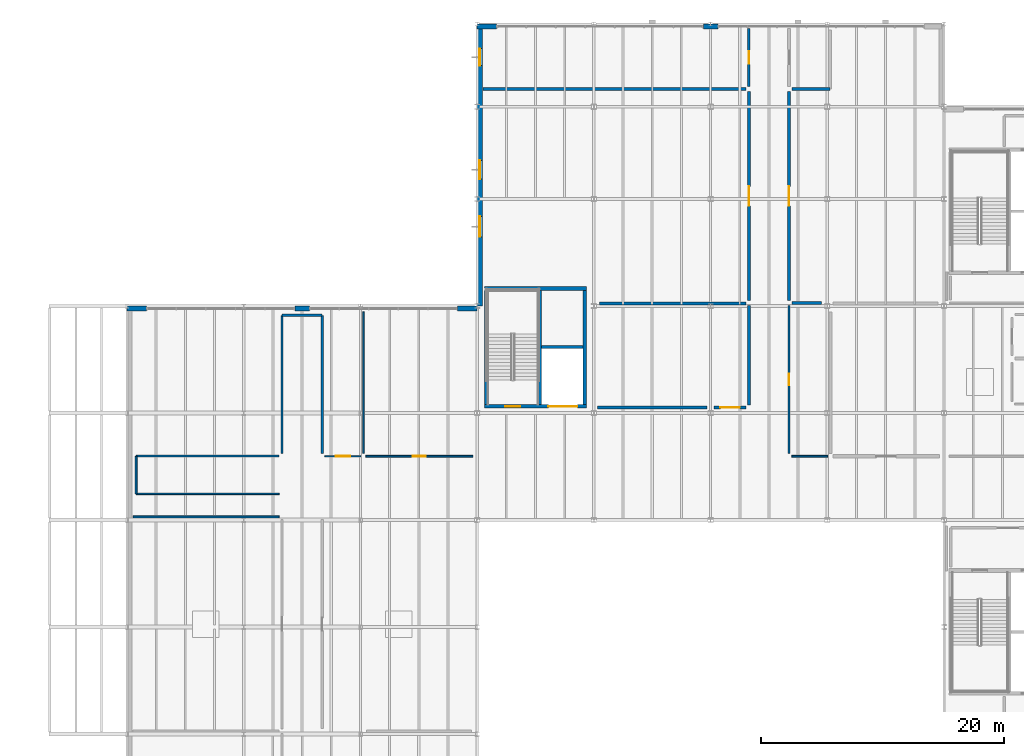
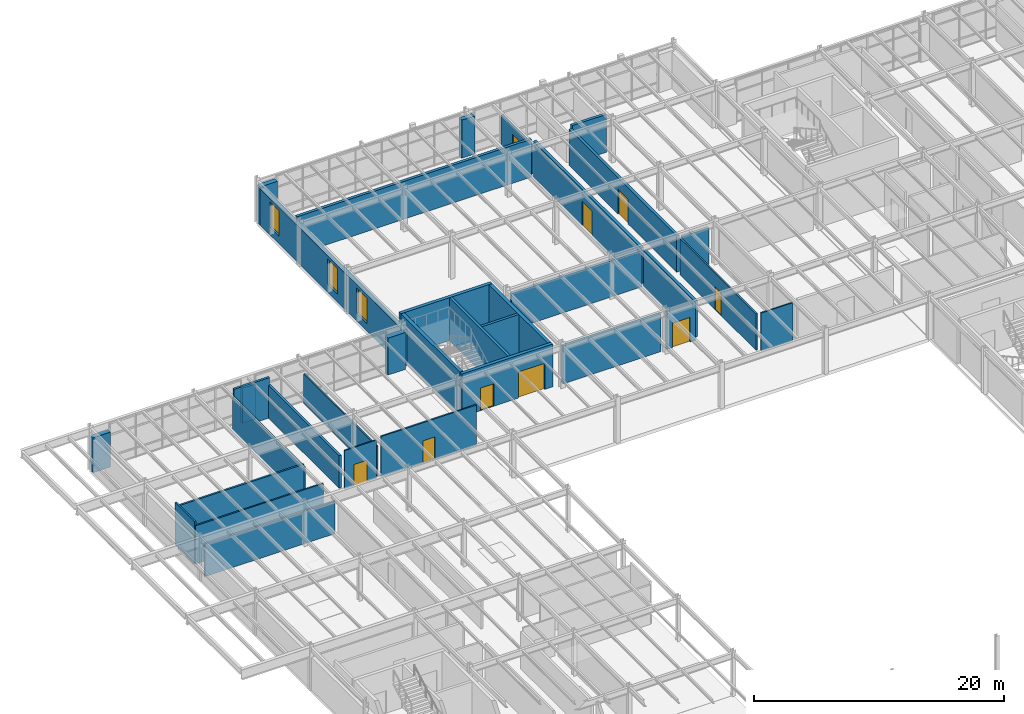
# One storey, part 59 of 77: 34 walls, 9 doors, 3 windows, 12 openings.
"""IFC4 building model written with IfcOpenShell, lengths in metres."""

import ifcopenshell
import ifcopenshell.guid

model = None  # the IFC model being written
_history = None  # IfcOwnerHistory: only IFC2X3 demands one
_inside = {}  # id of a spatial element -> (the spatial element, [elements in it])
_under = {}  # id of a project, library or spatial element -> (it, [spatial elements below it])
_declared = {}  # id of a project -> (the project, [libraries it declares])
_typed = {}  # id of a type object -> (the type object, [elements of that type])
_made_of = {}  # id of a material, layer set ... -> (it, [elements and type objects made of it])


def new_model(schema):
    """Start an empty IFC model of exactly this schema.

    Asked for "IFC4X3", IfcOpenShell would pick the latest addendum, in which some entities
    have other attributes; the version numbers below select the first issue.
    IFC2X3 requires an IfcOwnerHistory on every rooted entity: one is made here for all.
    """
    global model, _history
    if schema == "IFC4X3":
        model = ifcopenshell.file(schema_version=(4, 3, 0, 0))
    else:
        model = ifcopenshell.file(schema=schema)
    _inside.clear()
    _under.clear()
    _declared.clear()
    _typed.clear()
    _made_of.clear()
    _history = None
    if model.schema == "IFC2X3":
        org = make("IfcOrganization", Name="unknown")
        user = make(
            "IfcPersonAndOrganization",
            ThePerson=make("IfcPerson", FamilyName="unknown"),
            TheOrganization=org,
        )
        app = make(
            "IfcApplication",
            ApplicationDeveloper=org,
            Version="unknown",
            ApplicationFullName="unknown",
            ApplicationIdentifier="unknown",
        )
        _history = make(
            "IfcOwnerHistory",
            OwningUser=user,
            OwningApplication=app,
            ChangeAction="ADDED",
            CreationDate=0,
        )
    return model


def make(cls, **values):
    """One entity of the class cls with the attributes given. An attribute that is None is left unset."""
    return model.create_entity(
        cls, **{name: value for name, value in values.items() if value is not None}
    )


def rooted(cls, **values):
    """An entity with a GlobalId (a new one), such as an element, a storey or a relation."""
    return make(cls, GlobalId=ifcopenshell.guid.new(), OwnerHistory=_history, **values)


def si_unit(unit_type, name, prefix=None):
    """IfcSIUnit, for example si_unit("LENGTHUNIT", "METRE", prefix="MILLI")."""
    return make("IfcSIUnit", UnitType=unit_type, Prefix=prefix, Name=name)


def assignment(units):
    """IfcUnitAssignment: the units of a project."""
    return None if units is None else make("IfcUnitAssignment", Units=units)


def point(xyz):
    """IfcCartesianPoint."""
    return None if xyz is None else make("IfcCartesianPoint", Coordinates=xyz)


def direction(xyz):
    """IfcDirection."""
    return None if xyz is None else make("IfcDirection", DirectionRatios=xyz)


def frame(location, z_axis=None, x_axis=None):
    """IfcAxis2Placement3D, a coordinate frame: its origin and axes. An axis left out is left unset."""
    return make(
        "IfcAxis2Placement3D",
        Location=point(location),
        Axis=direction(z_axis),
        RefDirection=direction(x_axis),
    )


def frame_2d(location, x_axis=None):
    """IfcAxis2Placement2D, a coordinate frame in the plane: its origin and x axis."""
    return make(
        "IfcAxis2Placement2D", Location=point(location), RefDirection=direction(x_axis)
    )


def origin():
    """The frame at (0, 0, 0) with its axes left unset."""
    return frame((0.0, 0.0, 0.0))


def place(relative_to, where):
    """IfcLocalPlacement: puts the frame where relative to a parent placement (None: the world)."""
    return make(
        "IfcLocalPlacement", PlacementRelTo=relative_to, RelativePlacement=where
    )


def context(
    kind, dimensions, precision=None, world=None, true_north=None, identifier=None
):
    """IfcGeometricRepresentationContext, for example the 3D "Model" context."""
    return make(
        "IfcGeometricRepresentationContext",
        ContextIdentifier=identifier,
        ContextType=kind,
        CoordinateSpaceDimension=dimensions,
        Precision=precision,
        WorldCoordinateSystem=world,
        TrueNorth=true_north,
    )


def subcontext(parent, identifier, kind, view, scale=None):
    """IfcGeometricRepresentationSubContext, for example "Body" below "Model"."""
    return make(
        "IfcGeometricRepresentationSubContext",
        ContextIdentifier=identifier,
        ContextType=kind,
        ParentContext=parent,
        TargetScale=scale,
        TargetView=view,
    )


def project(units=None, contexts=None):
    """IfcProject with its units and contexts."""
    return rooted(
        "IfcProject",
        Name="project",
        RepresentationContexts=contexts,
        UnitsInContext=assignment(units),
    )


def spatial(cls, under=None, at=None, **own):
    """A site, building, storey or space (cls), placed at a placement, below another one or the project."""
    s = rooted(cls, ObjectPlacement=at, **own)
    if under is not None:
        _under.setdefault(under.id(), (under, []))[1].append(s)
    return s


def profile(cls, at=None, kind="AREA", **sizes):
    """A parametric profile (cls). Its sizes go by their IFC names, for example OverallWidth=200.0."""
    return make(cls, ProfileType=kind, Position=at, **sizes)


def rectangle(**sizes):
    """IfcRectangleProfileDef."""
    return profile("IfcRectangleProfileDef", **sizes)


def extrude(swept, where, along, depth):
    """IfcExtrudedAreaSolid: the profile swept, set in the frame where, extruded along a direction by depth."""
    return make(
        "IfcExtrudedAreaSolid",
        SweptArea=swept,
        Position=where,
        ExtrudedDirection=direction(along),
        Depth=depth,
    )


def shape(context_of_items, identifier, shape_type, items):
    """IfcShapeRepresentation: the items that make up one representation, for example the "Body"."""
    return make(
        "IfcShapeRepresentation",
        ContextOfItems=context_of_items,
        RepresentationIdentifier=identifier,
        RepresentationType=shape_type,
        Items=items,
    )


def material(Name=None, Category=None):
    """IfcMaterial."""
    return make("IfcMaterial", Name=Name, Category=Category)


def layer(
    of_material, thickness, ventilated=None, Name=None, Category=None, Priority=None
):
    """IfcMaterialLayer: one layer of a wall or slab, of a material (None: an air gap)."""
    return make(
        "IfcMaterialLayer",
        Material=of_material,
        LayerThickness=thickness,
        IsVentilated=ventilated,
        Name=Name,
        Category=Category,
        Priority=Priority,
    )


def layer_set(layers, Name=None):
    """IfcMaterialLayerSet."""
    return make("IfcMaterialLayerSet", MaterialLayers=layers, LayerSetName=Name)


def made_of(thing, what):
    """Note that an element or type object is made of a material, layer set ...; save() writes the relation."""
    if what is not None:
        _made_of.setdefault(what.id(), (what, []))[1].append(thing)
    return thing


def type_object(cls, material=None, **own):
    """A type object (cls), such as IfcWallType, which elements share."""
    return made_of(rooted(cls, **own), material)


def element(
    cls,
    number,
    at=None,
    inside=None,
    cuts=None,
    type_object=None,
    material=None,
    context=None,
    identifier="Body",
    shape_type=None,
    held_by="IfcProductDefinitionShape",
    body=None,
    shapes=None,
    **own,
):
    """One element of the class cls, such as IfcWall. Its Tag is "e" and its number.

    at: its placement. inside: the storey or other place that contains it. cuts: it is an
    opening in that element (IfcRelVoidsElement). A single representation is given by context,
    identifier, shape_type and body (its items); several are given by shapes. held_by: the class
    of the entity that holds the representations. save() writes the other relations.
    """
    e = rooted(cls, Tag="e%d" % number, ObjectPlacement=at, **own)
    if body is not None:
        shapes = [shape(context, identifier, shape_type, body)]
    if shapes is not None:
        e.Representation = make(held_by, Representations=shapes)
    if inside is not None:
        _inside.setdefault(inside.id(), (inside, []))[1].append(e)
    if cuts is not None:
        rooted(
            "IfcRelVoidsElement", RelatingBuildingElement=cuts, RelatedOpeningElement=e
        )
    if type_object is not None:
        _typed.setdefault(type_object.id(), (type_object, []))[1].append(e)
    return made_of(e, material)


def fill(opening, filler):
    """IfcRelFillsElement: the door or window that sits in an opening."""
    return rooted(
        "IfcRelFillsElement",
        RelatingOpeningElement=opening,
        RelatedBuildingElement=filler,
    )


def aggregate(whole, parts):
    """IfcRelAggregates: a whole, such as a stair, and the parts it consists of."""
    return rooted("IfcRelAggregates", RelatingObject=whole, RelatedObjects=parts)


def save(model, path):
    """Write the relations noted so far, then the file.

    IfcRelAggregates (storeys below a building ...), IfcRelContainedInSpatialStructure (elements
    in a storey), IfcRelDefinesByType, IfcRelAssociatesMaterial and IfcRelDeclares: one each for
    every whole, place, type object, material and project.
    """
    for whole, parts in _under.values():
        aggregate(whole, parts)
    for where, things in _inside.values():
        rooted(
            "IfcRelContainedInSpatialStructure",
            RelatedElements=things,
            RelatingStructure=where,
        )
    for kind, things in _typed.values():
        rooted("IfcRelDefinesByType", RelatedObjects=things, RelatingType=kind)
    for what, things in _made_of.values():
        rooted("IfcRelAssociatesMaterial", RelatedObjects=things, RelatingMaterial=what)
    for by, libraries in _declared.values():
        rooted("IfcRelDeclares", RelatingContext=by, RelatedDefinitions=libraries)
    model.write(path)


model = new_model("IFC4")

# Units and contexts
model_context = context("Model", 3, precision=1e-05, world=origin(), true_north=direction((0.0, 1.0)))
body_context = subcontext(model_context, "Body", "Model", "MODEL_VIEW")
ifc_project = project(units=[si_unit("LENGTHUNIT", "METRE"), si_unit("AREAUNIT", "SQUARE_METRE"), si_unit("VOLUMEUNIT", "CUBIC_METRE"), si_unit("PLANEANGLEUNIT", "RADIAN"), si_unit("MASSUNIT", "GRAM", prefix="KILO")], contexts=[model_context])

# Site, building, storey
site_placement = place(None, origin())
site = spatial("IfcSite", under=ifc_project, at=site_placement, CompositionType="ELEMENT")
building_placement = place(site_placement, origin())
building = spatial("IfcBuilding", under=site, at=building_placement, Name="Sarnbrook Museum", CompositionType="ELEMENT")
storey_placement = place(building_placement, frame((0.0, 0.0, 5.60009765625)))
storey = spatial("IfcBuildingStorey", under=building, at=storey_placement, Name="L01", CompositionType="ELEMENT", Elevation=5.60009765625)

# Wall, openings, doors
ifc_material_1 = material(Name="Concrete N50 (AS 3600, f'c = 50 MPa)", Category="concrete")
ifc_layer_1 = layer(ifc_material_1, 0.300048828125)
ifc_layer_set_1 = layer_set([ifc_layer_1], Name="Concrete N50 (AS 3600, f'c = 50 MPa)")
wall_type_1 = type_object("IfcWallType", Name="CoreWall_CWRC", PredefinedType="SHEAR", material=ifc_layer_set_1)
wall_1_placement = place(storey_placement, frame((43.0, 83.75, 0.0), z_axis=(0.0, 0.0, 1.0), x_axis=(1.0, 0.0, 0.0)))
wall_1 = element("IfcWall", 1, at=wall_1_placement, inside=storey, type_object=wall_type_1, Name="Core C6 Shear Wall S L01", PredefinedType="SHEAR", context=body_context, shape_type="SweptSolid", body=[
    extrude(rectangle(XDim=8.39990234375, YDim=0.300048828125, at=frame_2d((4.199951171875, 0.0))), origin(), (0.0, 0.0, 1.0), 4.1748046875),
])
opening_1_placement = place(wall_1_placement, frame((1.715087890625, 0.0, 0.0)))
opening_1 = element("IfcOpeningElement", 2, at=opening_1_placement, cuts=wall_1, Name="Opening D-ST-ST6-L01", PredefinedType="OPENING", context=body_context, shape_type="SweptSolid", body=[
    extrude(rectangle(XDim=1.25, YDim=2.199951171875, at=frame_2d((0.625, 1.10009765625))), frame((0.0, 0.16015625, 0.0), z_axis=(0.0, -1.0, 0.0), x_axis=(1.0, 0.0, 0.0)), (0.0, 0.0, 1.0), 0.320068359375),
])
opening_2_placement = place(wall_1_placement, frame((5.25, 0.0, 0.0)))
opening_2 = element("IfcOpeningElement", 3, at=opening_2_placement, cuts=wall_1, Name="Opening LD-GL2-L01", PredefinedType="OPENING", context=body_context, shape_type="SweptSolid", body=[
    extrude(rectangle(XDim=2.39990234375, YDim=2.550048828125, at=frame_2d((1.199951171875, 1.27490234375))), frame((0.0, 0.16015625, 0.0), z_axis=(0.0, -1.0, 0.0), x_axis=(1.0, 0.0, 0.0)), (0.0, 0.0, 1.0), 0.320068359375),
])
ifc_material_2 = material(Name="Tasmanian Oak Acoustic Timber", Category="wood")
door_type_1 = type_object("IfcDoorType", Name="FireDoor_FD120", OperationType="NOTDEFINED", PredefinedType="DOOR", material=ifc_material_2)
door_1_placement = place(opening_1_placement, origin())
door_1 = element("IfcDoor", 4, at=door_1_placement, inside=storey, type_object=door_type_1, Name="Exit Stair ST6 Fire Door L01", OperationType="SINGLE_SWING_RIGHT", OverallHeight=2.199951171875, OverallWidth=1.25, PredefinedType="DOOR", context=body_context, shape_type="SweptSolid", body=[
    extrude(rectangle(XDim=1.25, YDim=2.199951171875, at=frame_2d((0.625, 1.10009765625))), frame((0.0, 0.02490234375, 0.0), z_axis=(0.0, -1.0, 0.0), x_axis=(1.0, 0.0, 0.0)), (0.0, 0.0, 1.0), 0.050048828125),
])
fill(opening_1, door_1)
ifc_material_3 = material(Name="Brushed Stainless Steel Grade 316", Category="steel")
door_type_2 = type_object("IfcDoorType", Name="LiftDoor_Goods240", OperationType="DOUBLE_DOOR_SLIDING", PredefinedType="DOOR", material=ifc_material_3)
door_2_placement = place(opening_2_placement, origin())
door_2 = element("IfcDoor", 5, at=door_2_placement, inside=storey, type_object=door_type_2, Name="Lift Landing Sliding Door LD-GL2-L01", OperationType="DOUBLE_DOOR_SLIDING", OverallHeight=2.550048828125, OverallWidth=2.39990234375, PredefinedType="DOOR", context=body_context, shape_type="SweptSolid", body=[
    extrude(rectangle(XDim=2.39990234375, YDim=2.550048828125, at=frame_2d((1.199951171875, 1.27490234375))), frame((0.0, 0.02490234375, 0.0), z_axis=(0.0, -1.0, 0.0), x_axis=(1.0, 0.0, 0.0)), (0.0, 0.0, 1.0), 0.050048828125),
])
fill(opening_2, door_2)

# Walls
wall_2_placement = place(storey_placement, frame((51.39990234375, 93.449951171875, 0.0), z_axis=(0.0, 0.0, 1.0), x_axis=(-1.0, 0.0, 0.0)))
element("IfcWall", 6, at=wall_2_placement, inside=storey, type_object=wall_type_1, Name="Core C6 Shear Wall N L01", PredefinedType="SHEAR", context=body_context, shape_type="SweptSolid", body=[
    extrude(rectangle(XDim=8.39990234375, YDim=0.300048828125, at=frame_2d((4.199951171875, 0.0))), origin(), (0.0, 0.0, 1.0), 4.1748046875),
])
for number, where, z_axis, x_axis, name in (
    (7, (51.25, 83.909912109375, 0.0), (0.0, 0.0, 1.0), (0.0, 1.0, 0.0), "Core C6 Shear Wall E L01"),
    (8, (43.14990234375, 93.2900390625, 0.0), (0.0, 0.0, 1.0), (0.0, -1.0, 0.0), "Core C6 Shear Wall W L01"),
):
    element("IfcWall", number, at=place(storey_placement, frame(where, z_axis=z_axis, x_axis=x_axis)), inside=storey, type_object=wall_type_1, Name=name, PredefinedType="SHEAR", context=body_context, shape_type="SweptSolid", body=[
        extrude(rectangle(XDim=9.380126953125, YDim=0.300048828125, at=frame_2d((4.68994140625, 0.0))), origin(), (0.0, 0.0, 1.0), 4.1748046875),
    ])

# Wall, opening, door
ifc_material_4 = material(Name="Concrete N40 (AS 3600, f'c = 40 MPa)", Category="concrete")
ifc_layer_2 = layer(ifc_material_4, 0.260009765625)
ifc_layer_set_2 = layer_set([ifc_layer_2], Name="Concrete N40 (AS 3600, f'c = 40 MPa)")
wall_type_2 = type_object("IfcWallType", Name="FireWall_FW240", PredefinedType="SOLIDWALL", material=ifc_layer_set_2)
wall_3_placement = place(storey_placement, frame((64.75, 109.6298828125, 0.0), z_axis=(0.0, 0.0, 1.0), x_axis=(0.0, -1.0, 0.0)))
wall_3 = element("IfcWall", 9, at=wall_3_placement, inside=storey, type_object=wall_type_2, Name="Interior Partition Wall L01-0398", PredefinedType="SOLIDWALL", context=body_context, shape_type="SweptSolid", body=[
    extrude(rectangle(XDim=17.179931640625, YDim=0.260009765625, at=frame_2d((8.58984375, 0.0))), origin(), (0.0, 0.0, 1.0), 3.54296875),
])
opening_3_placement = place(wall_3_placement, frame((7.7900390625, 0.0, 0.0)))
opening_3 = element("IfcOpeningElement", 10, at=opening_3_placement, cuts=wall_3, Name="Opening D-L01-125", PredefinedType="OPENING", context=body_context, shape_type="SweptSolid", body=[
    extrude(rectangle(XDim=1.60009765625, YDim=2.39990234375, at=frame_2d((0.800048828125, 1.199951171875))), frame((0.0, 0.14013671875, 0.0), z_axis=(0.0, -1.0, 0.0), x_axis=(1.0, 0.0, 0.0)), (0.0, 0.0, 1.0), 0.280029296875),
])
ifc_material_5 = material(Name="Patinated Architectural Bronze")
door_type_3 = type_object("IfcDoorType", Name="FireDoor_FD240", OperationType="NOTDEFINED", PredefinedType="DOOR", material=ifc_material_5)
door_3_placement = place(opening_3_placement, origin())
door_3 = element("IfcDoor", 11, at=door_3_placement, inside=storey, type_object=door_type_3, Name="Collection Archive Vault L01-33 Door D-L01-125", OperationType="DOUBLE_DOOR_SINGLE_SWING", OverallHeight=2.39990234375, OverallWidth=1.60009765625, PredefinedType="DOOR", context=body_context, shape_type="SweptSolid", body=[
    extrude(rectangle(XDim=1.60009765625, YDim=2.39990234375, at=frame_2d((0.800048828125, 1.199951171875))), frame((0.0, 0.02490234375, 0.0), z_axis=(0.0, -1.0, 0.0), x_axis=(1.0, 0.0, 0.0)), (0.0, 0.0, 1.0), 0.050048828125),
])
fill(opening_3, door_3)

wall_4_placement = place(storey_placement, frame((64.52001953125, 83.64990234375, 0.0), z_axis=(0.0, 0.0, 1.0), x_axis=(-1.0, 0.0, 0.0)))
wall_4 = element("IfcWall", 12, at=wall_4_placement, inside=storey, type_object=wall_type_2, Name="Interior Partition Wall L01-0400", PredefinedType="SOLIDWALL", context=body_context, shape_type="SweptSolid", body=[
    extrude(rectangle(XDim=2.63525390625, YDim=0.260009765625, at=frame_2d((1.317626953125, 0.0))), origin(), (0.0, 0.0, 1.0), 3.69287109375),
])
opening_4_placement = place(wall_4_placement, frame((0.517578125, 0.0, 0.0)))
opening_4 = element("IfcOpeningElement", 13, at=opening_4_placement, cuts=wall_4, Name="Opening D-L01-127", PredefinedType="OPENING", context=body_context, shape_type="SweptSolid", body=[
    extrude(rectangle(XDim=1.60009765625, YDim=2.39990234375, at=frame_2d((0.800048828125, 1.199951171875))), frame((0.0, 0.14013671875, 0.0), z_axis=(0.0, -1.0, 0.0), x_axis=(1.0, 0.0, 0.0)), (0.0, 0.0, 1.0), 0.280029296875),
])
door_4_placement = place(opening_4_placement, origin())
door_4 = element("IfcDoor", 14, at=door_4_placement, inside=storey, type_object=door_type_3, Name="Collection Archive Vault L01-35 Door D-L01-127", OperationType="DOUBLE_DOOR_SINGLE_SWING", OverallHeight=2.39990234375, OverallWidth=1.60009765625, PredefinedType="DOOR", context=body_context, shape_type="SweptSolid", body=[
    extrude(rectangle(XDim=1.60009765625, YDim=2.39990234375, at=frame_2d((0.800048828125, 1.199951171875))), frame((0.0, 0.02490234375, 0.0), z_axis=(0.0, -1.0, 0.0), x_axis=(1.0, 0.0, 0.0)), (0.0, 0.0, 1.0), 0.050048828125),
])
fill(opening_4, door_4)

# Walls
wall_5_placement = place(storey_placement, frame((61.315185546875, 83.64990234375, 0.0), z_axis=(0.0, 0.0, 1.0), x_axis=(-1.0, 0.0, 0.0)))
element("IfcWall", 15, at=wall_5_placement, inside=storey, type_object=wall_type_2, Name="Interior Partition Wall L01-0401", PredefinedType="SOLIDWALL", context=body_context, shape_type="SweptSolid", body=[
    extrude(rectangle(XDim=9.030517578125, YDim=0.260009765625, at=frame_2d((4.51513671875, 0.0))), origin(), (0.0, 0.0, 1.0), 3.69287109375),
])
wall_6_placement = place(storey_placement, frame((64.75, 92.030029296875, 0.0), z_axis=(0.0, 0.0, 1.0), x_axis=(0.0, -1.0, 0.0)))
element("IfcWall", 16, at=wall_6_placement, inside=storey, type_object=wall_type_2, Name="Interior Partition Wall L01-0402", PredefinedType="SOLIDWALL", context=body_context, shape_type="SweptSolid", body=[
    extrude(rectangle(XDim=8.150146484375, YDim=0.260009765625, at=frame_2d((4.0751953125, 0.0))), origin(), (0.0, 0.0, 1.0), 3.54296875),
])

# Wall, opening, door
wall_7_placement = place(storey_placement, frame((68.050048828125, 92.449951171875, 0.0), z_axis=(0.0, 0.0, 1.0), x_axis=(0.0, 1.0, 0.0)))
wall_7 = element("IfcWall", 17, at=wall_7_placement, inside=storey, type_object=wall_type_2, Name="Interior Partition Wall L01-0405", PredefinedType="SOLIDWALL", context=body_context, shape_type="SweptSolid", body=[
    extrude(rectangle(XDim=17.179931640625, YDim=0.260009765625, at=frame_2d((8.58984375, 0.0))), origin(), (0.0, 0.0, 1.0), 3.54296875),
])
opening_5_placement = place(wall_7_placement, frame((7.7900390625, 0.0, 0.0)))
opening_5 = element("IfcOpeningElement", 18, at=opening_5_placement, cuts=wall_7, Name="Opening D-L01-129", PredefinedType="OPENING", context=body_context, shape_type="SweptSolid", body=[
    extrude(rectangle(XDim=1.60009765625, YDim=2.39990234375, at=frame_2d((0.800048828125, 1.199951171875))), frame((0.0, 0.14013671875, 0.0), z_axis=(0.0, -1.0, 0.0), x_axis=(1.0, 0.0, 0.0)), (0.0, 0.0, 1.0), 0.280029296875),
])
door_5_placement = place(opening_5_placement, frame((1.60009765625, 0.0, 0.0), z_axis=(0.0, 0.0, 1.0), x_axis=(-1.0, 0.0, 0.0)))
door_5 = element("IfcDoor", 19, at=door_5_placement, inside=storey, type_object=door_type_3, Name="Collection Archive Vault L01-37 Door D-L01-129", OperationType="DOUBLE_DOOR_SINGLE_SWING", OverallHeight=2.39990234375, OverallWidth=1.60009765625, PredefinedType="DOOR", context=body_context, shape_type="SweptSolid", body=[
    extrude(rectangle(XDim=1.60009765625, YDim=2.39990234375, at=frame_2d((0.800048828125, 1.199951171875))), frame((0.0, 0.02490234375, 0.0), z_axis=(0.0, -1.0, 0.0), x_axis=(1.0, 0.0, 0.0)), (0.0, 0.0, 1.0), 0.050048828125),
])
fill(opening_5, door_5)

# Walls
wall_8_placement = place(storey_placement, frame((42.89990234375, 109.860107421875, 0.0), z_axis=(0.0, 0.0, 1.0), x_axis=(1.0, 0.0, 0.0)))
element("IfcWall", 20, at=wall_8_placement, inside=storey, type_object=wall_type_2, Name="Interior Partition Wall L01-0442", PredefinedType="SOLIDWALL", context=body_context, shape_type="SweptSolid", body=[
    extrude(rectangle(XDim=21.6201171875, YDim=0.260009765625, at=frame_2d((10.81005859375, 0.0))), origin(), (0.0, 0.0, 1.0), 3.69287109375),
])
wall_9_placement = place(storey_placement, frame((64.52001953125, 92.219970703125, 0.0), z_axis=(0.0, 0.0, 1.0), x_axis=(-1.0, 0.0, 0.0)))
element("IfcWall", 21, at=wall_9_placement, inside=storey, type_object=wall_type_2, Name="Interior Partition Wall L01-0443", PredefinedType="SOLIDWALL", context=body_context, shape_type="SweptSolid", body=[
    extrude(rectangle(XDim=12.0400390625, YDim=0.260009765625, at=frame_2d((6.02001953125, 0.0))), origin(), (0.0, 0.0, 1.0), 3.54296875),
])
wall_10_placement = place(storey_placement, frame((68.280029296875, 92.260009765625, 0.0), z_axis=(0.0, 0.0, 1.0), x_axis=(1.0, 0.0, 0.0)))
element("IfcWall", 22, at=wall_10_placement, inside=storey, type_object=wall_type_2, Name="Interior Partition Wall L01-0444", PredefinedType="SOLIDWALL", context=body_context, shape_type="SweptSolid", body=[
    extrude(rectangle(XDim=2.43994140625, YDim=0.260009765625, at=frame_2d((1.219970703125, 0.0))), origin(), (0.0, 0.0, 1.0), 3.54296875),
])
wall_11_placement = place(storey_placement, frame((68.280029296875, 109.860107421875, 0.0), z_axis=(0.0, 0.0, 1.0), x_axis=(1.0, 0.0, 0.0)))
element("IfcWall", 23, at=wall_11_placement, inside=storey, type_object=wall_type_2, Name="Interior Partition Wall L01-0446", PredefinedType="SOLIDWALL", context=body_context, shape_type="SweptSolid", body=[
    extrude(rectangle(XDim=3.1298828125, YDim=0.260009765625, at=frame_2d((1.56494140625, 0.0))), origin(), (0.0, 0.0, 1.0), 3.69287109375),
])

# Wall, opening, door
ifc_material_6 = material(Name="Fire-Rated Acoustic Gypsum Plasterboard")
ifc_layer_3 = layer(ifc_material_6, 0.1201171875)
ifc_layer_set_3 = layer_set([ifc_layer_3], Name="Fire-Rated Acoustic Gypsum Plasterboard")
wall_type_3 = type_object("IfcWallType", Name="PartWall_P120", PredefinedType="PARTITIONING", material=ifc_layer_set_3)
wall_12_placement = place(storey_placement, frame((32.830078125, 79.64990234375, 0.0), z_axis=(0.0, 0.0, 1.0), x_axis=(-1.0, 0.0, 0.0)))
wall_12 = element("IfcWall", 24, at=wall_12_placement, inside=storey, type_object=wall_type_3, Name="Interior Partition Wall L01-0384", PredefinedType="PARTITIONING", context=body_context, shape_type="SweptSolid", body=[
    extrude(rectangle(XDim=2.9501953125, YDim=0.1201171875, at=frame_2d((1.47509765625, 0.0))), origin(), (0.0, 0.0, 1.0), 3.73291015625),
])
opening_6_placement = place(wall_12_placement, frame((0.885009765625, 0.0, 0.0)))
opening_6 = element("IfcOpeningElement", 25, at=opening_6_placement, cuts=wall_12, Name="Opening D-L01-120", PredefinedType="OPENING", context=body_context, shape_type="SweptSolid", body=[
    extrude(rectangle(XDim=1.179931640625, YDim=2.080078125, at=frame_2d((0.58984375, 1.0400390625))), frame((0.0, 0.070068359375, 0.0), z_axis=(0.0, -1.0, 0.0), x_axis=(1.0, 0.0, 0.0)), (0.0, 0.0, 1.0), 0.14013671875),
])
door_type_4 = type_object("IfcDoorType", Name="IntDoor_DT06", OperationType="NOTDEFINED", PredefinedType="DOOR", material=ifc_material_2)
door_6_placement = place(opening_6_placement, origin())
door_6 = element("IfcDoor", 26, at=door_6_placement, inside=storey, type_object=door_type_4, Name="Digital Natural History Studio L01-28 Door D-L01-120", OperationType="SINGLE_SWING_RIGHT", OverallHeight=2.080078125, OverallWidth=1.179931640625, PredefinedType="DOOR", context=body_context, shape_type="SweptSolid", body=[
    extrude(rectangle(XDim=1.179931640625, YDim=2.080078125, at=frame_2d((0.58984375, 1.0400390625))), frame((0.0, 0.02490234375, 0.0), z_axis=(0.0, -1.0, 0.0), x_axis=(1.0, 0.0, 0.0)), (0.0, 0.0, 1.0), 0.050048828125),
])
fill(opening_6, door_6)

# Wall
ifc_layer_4 = layer(ifc_material_6, 0.135009765625)
ifc_layer_set_4 = layer_set([ifc_layer_4], Name="Fire-Rated Acoustic Gypsum Plasterboard")
wall_type_4 = type_object("IfcWallType", Name="PartWall_P135", PredefinedType="PARTITIONING", material=ifc_layer_set_4)
wall_13_placement = place(storey_placement, frame((14.360107421875, 76.550048828125, 0.0), z_axis=(0.0, 0.0, 1.0), x_axis=(1.0, 0.0, 0.0)))
element("IfcWall", 27, at=wall_13_placement, inside=storey, type_object=wall_type_4, Name="Interior Partition Wall L01-0390", PredefinedType="PARTITIONING", context=body_context, shape_type="SweptSolid", body=[
    extrude(rectangle(XDim=11.760009765625, YDim=0.135009765625, at=frame_2d((5.8798828125, 0.0))), origin(), (0.0, 0.0, 1.0), 3.73291015625),
])

# Wall, opening, door
wall_14_placement = place(storey_placement, frame((42.0400390625, 79.64990234375, 0.0), z_axis=(0.0, 0.0, 1.0), x_axis=(-1.0, 0.0, 0.0)))
wall_14 = element("IfcWall", 28, at=wall_14_placement, inside=storey, type_object=wall_type_4, Name="Interior Partition Wall L01-0397", PredefinedType="PARTITIONING", context=body_context, shape_type="SweptSolid", body=[
    extrude(rectangle(XDim=8.7900390625, YDim=0.135009765625, at=frame_2d((4.39501953125, 0.0))), origin(), (0.0, 0.0, 1.0), 3.933837890625),
])
opening_7_placement = place(wall_14_placement, frame((3.85009765625, 0.0, 0.0)))
opening_7 = element("IfcOpeningElement", 29, at=opening_7_placement, cuts=wall_14, Name="Opening D-L01-124", PredefinedType="OPENING", context=body_context, shape_type="SweptSolid", body=[
    extrude(rectangle(XDim=1.090087890625, YDim=2.159912109375, at=frame_2d((0.544921875, 1.080078125))), frame((0.0, 0.07763671875, 0.0), z_axis=(0.0, -1.0, 0.0), x_axis=(1.0, 0.0, 0.0)), (0.0, 0.0, 1.0), 0.155029296875),
])
door_type_5 = type_object("IfcDoorType", Name="IntDoor_DT10", OperationType="NOTDEFINED", PredefinedType="DOOR", material=ifc_material_2)
door_7_placement = place(opening_7_placement, origin())
door_7 = element("IfcDoor", 30, at=door_7_placement, inside=storey, type_object=door_type_5, Name="School Workshop Classroom L01-32 Door D-L01-124", OperationType="SINGLE_SWING_RIGHT", OverallHeight=2.159912109375, OverallWidth=1.090087890625, PredefinedType="DOOR", context=body_context, shape_type="SweptSolid", body=[
    extrude(rectangle(XDim=1.090087890625, YDim=2.159912109375, at=frame_2d((0.544921875, 1.080078125))), frame((0.0, 0.02490234375, 0.0), z_axis=(0.0, -1.0, 0.0), x_axis=(1.0, 0.0, 0.0)), (0.0, 0.0, 1.0), 0.050048828125),
])
fill(opening_7, door_7)

# Walls
wall_15_placement = place(storey_placement, frame((71.22998046875, 79.64990234375, 0.0), z_axis=(0.0, 0.0, 1.0), x_axis=(-1.0, 0.0, 0.0)))
element("IfcWall", 31, at=wall_15_placement, inside=storey, type_object=wall_type_4, Name="Interior Partition Wall L01-0404", PredefinedType="PARTITIONING", context=body_context, shape_type="SweptSolid", body=[
    extrude(rectangle(XDim=2.949951171875, YDim=0.135009765625, at=frame_2d((1.47509765625, 0.0))), origin(), (0.0, 0.0, 1.0), 3.69287109375),
])
wall_16_placement = place(storey_placement, frame((33.06005859375, 91.52001953125, 0.0), z_axis=(0.0, 0.0, 1.0), x_axis=(0.0, -1.0, 0.0)))
element("IfcWall", 32, at=wall_16_placement, inside=storey, type_object=wall_type_4, Name="Interior Partition Wall L01-0439", PredefinedType="PARTITIONING", context=body_context, shape_type="SweptSolid", body=[
    extrude(rectangle(XDim=11.64013671875, YDim=0.135009765625, at=frame_2d((5.820068359375, 0.0))), origin(), (0.0, 0.0, 1.0), 2.89990234375),
])
ifc_layer_5 = layer(ifc_material_6, 0.14990234375)
ifc_layer_set_5 = layer_set([ifc_layer_5], Name="Fire-Rated Acoustic Gypsum Plasterboard")
wall_type_5 = type_object("IfcWallType", Name="PartWall_P150", PredefinedType="PARTITIONING", material=ifc_layer_set_5)
wall_17_placement = place(storey_placement, frame((14.35009765625, 79.639892578125, 0.0), z_axis=(0.0, 0.0, 1.0), x_axis=(0.0, -1.0, 0.0)))
element("IfcWall", 33, at=wall_17_placement, inside=storey, type_object=wall_type_5, Name="Interior Partition Wall L01-0389", PredefinedType="PARTITIONING", context=body_context, shape_type="SweptSolid", body=[
    extrude(rectangle(XDim=3.079833984375, YDim=0.14990234375, at=frame_2d((1.5400390625, 0.0))), origin(), (0.0, 0.0, 1.0), 4.1298828125),
])

# Wall, opening, door
wall_18_placement = place(storey_placement, frame((68.050048828125, 79.8798828125, 0.0), z_axis=(0.0, 0.0, 1.0), x_axis=(0.0, 1.0, 0.0)))
wall_18 = element("IfcWall", 34, at=wall_18_placement, inside=storey, type_object=wall_type_5, Name="Interior Partition Wall L01-0403", PredefinedType="PARTITIONING", context=body_context, shape_type="SweptSolid", body=[
    extrude(rectangle(XDim=12.150146484375, YDim=0.14990234375, at=frame_2d((6.0751953125, 0.0))), origin(), (0.0, 0.0, 1.0), 3.54296875),
])
opening_8_placement = place(wall_18_placement, frame((5.594970703125, 0.0, 0.0)))
opening_8 = element("IfcOpeningElement", 35, at=opening_8_placement, cuts=wall_18, Name="Opening D-L01-128", PredefinedType="OPENING", context=body_context, shape_type="SweptSolid", body=[
    extrude(rectangle(XDim=0.9599609375, YDim=2.239990234375, at=frame_2d((0.47998046875, 1.1201171875))), frame((0.0, 0.0849609375, 0.0), z_axis=(0.0, -1.0, 0.0), x_axis=(1.0, 0.0, 0.0)), (0.0, 0.0, 1.0), 0.169921875),
])
door_type_6 = type_object("IfcDoorType", Name="IntDoor_DT14", OperationType="NOTDEFINED", PredefinedType="DOOR", material=ifc_material_2)
door_8_placement = place(opening_8_placement, frame((0.9599609375, 0.0, 0.0), z_axis=(0.0, 0.0, 1.0), x_axis=(-1.0, 0.0, 0.0)))
door_8 = element("IfcDoor", 36, at=door_8_placement, inside=storey, type_object=door_type_6, Name="Conservation Science Laboratory L01-36 Door D-L01-128", OperationType="SINGLE_SWING_RIGHT", OverallHeight=2.239990234375, OverallWidth=0.9599609375, PredefinedType="DOOR", context=body_context, shape_type="SweptSolid", body=[
    extrude(rectangle(XDim=0.9599609375, YDim=2.239990234375, at=frame_2d((0.47998046875, 1.1201171875))), frame((0.0, 0.02490234375, 0.0), z_axis=(0.0, -1.0, 0.0), x_axis=(1.0, 0.0, 0.0)), (0.0, 0.0, 1.0), 0.050048828125),
])
fill(opening_8, door_8)

# Walls
wall_19_placement = place(storey_placement, frame((14.10009765625, 74.659912109375, 0.0), z_axis=(0.0, 0.0, 1.0), x_axis=(1.0, 0.0, 0.0)))
element("IfcWall", 37, at=wall_19_placement, inside=storey, type_object=wall_type_5, Name="Interior Partition Wall L01-0438", PredefinedType="PARTITIONING", context=body_context, shape_type="SweptSolid", body=[
    extrude(rectangle(XDim=12.02001953125, YDim=0.14990234375, at=frame_2d((6.010009765625, 0.0))), origin(), (0.0, 0.0, 1.0), 3.18994140625),
])
ifc_layer_6 = layer(ifc_material_6, 0.1650390625)
ifc_layer_set_6 = layer_set([ifc_layer_6], Name="Fire-Rated Acoustic Gypsum Plasterboard")
wall_type_6 = type_object("IfcWallType", Name="PartWall_P165", PredefinedType="PARTITIONING", material=ifc_layer_set_6)
wall_20_placement = place(storey_placement, frame((26.1201171875, 79.64990234375, 0.0), z_axis=(0.0, 0.0, 1.0), x_axis=(-1.0, 0.0, 0.0)))
element("IfcWall", 38, at=wall_20_placement, inside=storey, type_object=wall_type_6, Name="Interior Partition Wall L01-0388", PredefinedType="PARTITIONING", context=body_context, shape_type="SweptSolid", body=[
    extrude(rectangle(XDim=11.760009765625, YDim=0.1650390625, at=frame_2d((5.8798828125, 0.0))), origin(), (0.0, 0.0, 1.0), 3.73291015625),
])
ifc_layer_7 = layer(ifc_material_6, 0.179931640625)
ifc_layer_set_7 = layer_set([ifc_layer_7], Name="Fire-Rated Acoustic Gypsum Plasterboard")
wall_type_7 = type_object("IfcWallType", Name="PartWall_P180", PredefinedType="PARTITIONING", material=ifc_layer_set_7)
wall_21_placement = place(storey_placement, frame((26.35009765625, 91.239990234375, 0.0), z_axis=(0.0, 0.0, 1.0), x_axis=(0.0, -1.0, 0.0)))
element("IfcWall", 39, at=wall_21_placement, inside=storey, type_object=wall_type_7, Name="Interior Partition Wall L01-0387", PredefinedType="PARTITIONING", context=body_context, shape_type="SweptSolid", body=[
    extrude(rectangle(XDim=11.360107421875, YDim=0.179931640625, at=frame_2d((5.68017578125, 0.0))), origin(), (0.0, 0.0, 1.0), 3.18994140625),
])
ifc_layer_8 = layer(ifc_material_6, 0.195068359375)
ifc_layer_set_8 = layer_set([ifc_layer_8], Name="Fire-Rated Acoustic Gypsum Plasterboard")
wall_type_8 = type_object("IfcWallType", Name="PartWall_P195", PredefinedType="PARTITIONING", material=ifc_layer_set_8)
wall_22_placement = place(storey_placement, frame((29.639892578125, 91.25, 0.0), z_axis=(0.0, 0.0, 1.0), x_axis=(-1.0, 0.0, 0.0)))
element("IfcWall", 40, at=wall_22_placement, inside=storey, type_object=wall_type_8, Name="Interior Partition Wall L01-0386", PredefinedType="PARTITIONING", context=body_context, shape_type="SweptSolid", body=[
    extrude(rectangle(XDim=3.27978515625, YDim=0.195068359375, at=frame_2d((1.639892578125, 0.0))), origin(), (0.0, 0.0, 1.0), 3.933837890625),
])
ifc_layer_9 = layer(ifc_material_6, 0.2099609375)
ifc_layer_set_9 = layer_set([ifc_layer_9], Name="Fire-Rated Acoustic Gypsum Plasterboard")
wall_type_9 = type_object("IfcWallType", Name="PartWall_P210", PredefinedType="PARTITIONING", material=ifc_layer_set_9)
wall_23_placement = place(storey_placement, frame((29.64990234375, 79.8798828125, 0.0), z_axis=(0.0, 0.0, 1.0), x_axis=(0.0, 1.0, 0.0)))
element("IfcWall", 41, at=wall_23_placement, inside=storey, type_object=wall_type_9, Name="Interior Partition Wall L01-0385", PredefinedType="PARTITIONING", context=body_context, shape_type="SweptSolid", body=[
    extrude(rectangle(XDim=11.360107421875, YDim=0.2099609375, at=frame_2d((5.68017578125, 0.0))), origin(), (0.0, 0.0, 1.0), 3.18994140625),
])

# Wall, opening, door
wall_24_placement = place(storey_placement, frame((64.75, 114.840087890625, 0.0), z_axis=(0.0, 0.0, 1.0), x_axis=(0.0, -1.0, 0.0)))
wall_24 = element("IfcWall", 42, at=wall_24_placement, inside=storey, type_object=wall_type_9, Name="Interior Partition Wall L01-0399", PredefinedType="PARTITIONING", context=body_context, shape_type="SweptSolid", body=[
    extrude(rectangle(XDim=4.7900390625, YDim=0.2099609375, at=frame_2d((2.39501953125, 0.0))), origin(), (0.0, 0.0, 1.0), 2.89990234375),
])
opening_9_placement = place(wall_24_placement, frame((1.8701171875, 0.0, 0.0)))
opening_9 = element("IfcOpeningElement", 43, at=opening_9_placement, cuts=wall_24, Name="Opening D-L01-126", PredefinedType="OPENING", context=body_context, shape_type="SweptSolid", body=[
    extrude(rectangle(XDim=1.050048828125, YDim=2.14990234375, at=frame_2d((0.52490234375, 1.074951171875))), frame((0.0, 0.114990234375, 0.0), z_axis=(0.0, -1.0, 0.0), x_axis=(1.0, 0.0, 0.0)), (0.0, 0.0, 1.0), 0.22998046875),
])
door_type_7 = type_object("IfcDoorType", Name="FireDoor_FD60", OperationType="NOTDEFINED", PredefinedType="DOOR", material=ifc_material_2)
door_9_placement = place(opening_9_placement, origin())
door_9 = element("IfcDoor", 44, at=door_9_placement, inside=storey, type_object=door_type_7, Name="Conservation Science Laboratory L01-34 Door D-L01-126", OperationType="SINGLE_SWING_LEFT", OverallHeight=2.14990234375, OverallWidth=1.050048828125, PredefinedType="DOOR", context=body_context, shape_type="SweptSolid", body=[
    extrude(rectangle(XDim=1.050048828125, YDim=2.14990234375, at=frame_2d((0.52490234375, 1.074951171875))), frame((0.0, 0.02490234375, 0.0), z_axis=(0.0, -1.0, 0.0), x_axis=(1.0, 0.0, 0.0)), (0.0, 0.0, 1.0), 0.050048828125),
])
fill(opening_9, door_9)

# Walls
ifc_layer_10 = layer(ifc_material_4, 0.239990234375)
ifc_layer_set_10 = layer_set([ifc_layer_10], Name="Concrete N40 (AS 3600, f'c = 40 MPa)")
wall_type_10 = type_object("IfcWallType", Name="ShaftWall_SWRC", PredefinedType="SOLIDWALL", material=ifc_layer_set_10)
wall_25_placement = place(storey_placement, frame((47.570068359375, 83.909912109375, 0.0), z_axis=(0.0, 0.0, 1.0), x_axis=(0.0, 1.0, 0.0)))
element("IfcWall", 45, at=wall_25_placement, inside=storey, type_object=wall_type_10, Name="Stairwell ST6 Fire Shaft Wall L01", PredefinedType="SOLIDWALL", context=body_context, shape_type="SweptSolid", body=[
    extrude(rectangle(XDim=9.380126953125, YDim=0.239990234375, at=frame_2d((4.68994140625, 0.0))), origin(), (0.0, 0.0, 1.0), 4.1748046875),
])
wall_26_placement = place(storey_placement, frame((47.699951171875, 88.6201171875, 0.0), z_axis=(0.0, 0.0, 1.0), x_axis=(1.0, 0.0, 0.0)))
element("IfcWall", 46, at=wall_26_placement, inside=storey, type_object=wall_type_10, Name="Lift GL2 Shaft Rear Wall L01", PredefinedType="SOLIDWALL", context=body_context, shape_type="SweptSolid", body=[
    extrude(rectangle(XDim=3.39013671875, YDim=0.239990234375, at=frame_2d((1.695068359375, 0.0))), origin(), (0.0, 0.0, 1.0), 4.1748046875),
])
ifc_material_7 = material(Name="Barrabool Sandstone Ashlar Cladding", Category="masonry")
ifc_layer_11 = layer(ifc_material_7, 0.419921875)
ifc_layer_set_11 = layer_set([ifc_layer_11], Name="Barrabool Sandstone Ashlar Cladding")
wall_type_11 = type_object("IfcWallType", Name="Wall_SandstoneExt420", PredefinedType="SOLIDWALL", material=ifc_layer_set_11)
wall_27_placement = place(storey_placement, frame((62.199951171875, 114.989990234375, 0.0), z_axis=(0.0, 0.0, 1.0), x_axis=(-1.0, 0.0, 0.0)))
element("IfcWall", 47, at=wall_27_placement, inside=storey, type_object=wall_type_11, Name="Classical Sandstone Facade Pier L01-8.2", PredefinedType="SOLIDWALL", context=body_context, shape_type="SweptSolid", body=[
    extrude(rectangle(XDim=1.199951171875, YDim=0.419921875, at=frame_2d((0.60009765625, 0.0))), origin(), (0.0, 0.0, 1.0), 3.7080078125),
])
wall_28_placement = place(storey_placement, frame((44.0, 114.989990234375, 0.0), z_axis=(0.0, 0.0, 1.0), x_axis=(-1.0, 0.0, 0.0)))
element("IfcWall", 48, at=wall_28_placement, inside=storey, type_object=wall_type_11, Name="Classical Sandstone Facade Pier L01-8.3", PredefinedType="SOLIDWALL", context=body_context, shape_type="SweptSolid", body=[
    extrude(rectangle(XDim=1.60009765625, YDim=0.419921875, at=frame_2d((0.800048828125, 0.0))), origin(), (0.0, 0.0, 1.0), 3.7080078125),
])

# Wall, openings, windows
wall_29_placement = place(storey_placement, frame((42.610107421875, 114.98388671875, 0.0), z_axis=(0.0, 0.0, 1.0), x_axis=(0.0, -1.0, 0.0)))
wall_29 = element("IfcWall", 49, at=wall_29_placement, inside=storey, type_object=wall_type_11, Name="Classical Sandstone Facade Wall L01-09", PredefinedType="SOLIDWALL", context=body_context, shape_type="SweptSolid", body=[
    extrude(rectangle(XDim=22.98388671875, YDim=0.419921875, at=frame_2d((11.491943359375, 0.0))), origin(), (0.0, 0.0, 1.0), 3.557861328125),
])
opening_10_placement = place(wall_29_placement, frame((1.800048828125, 0.0, 0.75)))
opening_10 = element("IfcOpeningElement", 50, at=opening_10_placement, cuts=wall_29, Name="Opening WT-37", PredefinedType="OPENING", context=body_context, shape_type="SweptSolid", body=[
    extrude(rectangle(XDim=1.39990234375, YDim=2.5, at=frame_2d((0.699951171875, 1.25))), frame((0.0, 0.219970703125, 0.0), z_axis=(0.0, -1.0, 0.0), x_axis=(1.0, 0.0, 0.0)), (0.0, 0.0, 1.0), 0.43994140625),
])
opening_11_placement = place(wall_29_placement, frame((11.0, 0.0, 0.75)))
opening_11 = element("IfcOpeningElement", 51, at=opening_11_placement, cuts=wall_29, Name="Opening WT-38", PredefinedType="OPENING", context=body_context, shape_type="SweptSolid", body=[
    extrude(rectangle(XDim=1.550048828125, YDim=2.5, at=frame_2d((0.77490234375, 1.25))), frame((0.0, 0.219970703125, 0.0), z_axis=(0.0, -1.0, 0.0), x_axis=(1.0, 0.0, 0.0)), (0.0, 0.0, 1.0), 0.43994140625),
])
opening_12_placement = place(wall_29_placement, frame((15.60009765625, 0.0, 0.75)))
opening_12 = element("IfcOpeningElement", 52, at=opening_12_placement, cuts=wall_29, Name="Opening WT-39", PredefinedType="OPENING", context=body_context, shape_type="SweptSolid", body=[
    extrude(rectangle(XDim=1.699951171875, YDim=2.5, at=frame_2d((0.85009765625, 1.25))), frame((0.0, 0.219970703125, 0.0), z_axis=(0.0, -1.0, 0.0), x_axis=(1.0, 0.0, 0.0)), (0.0, 0.0, 1.0), 0.43994140625),
])
ifc_material_8 = material(Name="Double-Glazed Low-Iron Laminated Safety Glass", Category="glass")
window_type_1 = type_object("IfcWindowType", Name="Window_Classical_WT37", PartitioningType="SINGLE_PANEL", PredefinedType="WINDOW", material=ifc_material_8)
window_1_placement = place(opening_10_placement, origin())
window_1 = element("IfcWindow", 53, at=window_1_placement, inside=storey, type_object=window_type_1, Name="Classical Bronze Casement Window WIN:L01:0037", OverallHeight=2.5, OverallWidth=1.39990234375, PartitioningType="SINGLE_PANEL", PredefinedType="WINDOW", context=body_context, shape_type="SweptSolid", body=[
    extrude(rectangle(XDim=1.39990234375, YDim=2.5, at=frame_2d((0.699951171875, 1.25))), frame((0.0, 0.030029296875, 0.0), z_axis=(0.0, -1.0, 0.0), x_axis=(1.0, 0.0, 0.0)), (0.0, 0.0, 1.0), 0.06005859375),
])
fill(opening_10, window_1)
window_type_2 = type_object("IfcWindowType", Name="Window_Classical_WT38", PartitioningType="SINGLE_PANEL", PredefinedType="WINDOW", material=ifc_material_8)
window_2_placement = place(opening_11_placement, origin())
window_2 = element("IfcWindow", 54, at=window_2_placement, inside=storey, type_object=window_type_2, Name="Classical Bronze Casement Window WIN:L01:0038", OverallHeight=2.5, OverallWidth=1.550048828125, PartitioningType="SINGLE_PANEL", PredefinedType="WINDOW", context=body_context, shape_type="SweptSolid", body=[
    extrude(rectangle(XDim=1.550048828125, YDim=2.5, at=frame_2d((0.77490234375, 1.25))), frame((0.0, 0.030029296875, 0.0), z_axis=(0.0, -1.0, 0.0), x_axis=(1.0, 0.0, 0.0)), (0.0, 0.0, 1.0), 0.06005859375),
])
fill(opening_11, window_2)
window_type_3 = type_object("IfcWindowType", Name="Window_Classical_WT39", PartitioningType="SINGLE_PANEL", PredefinedType="WINDOW", material=ifc_material_8)
window_3_placement = place(opening_12_placement, origin())
window_3 = element("IfcWindow", 55, at=window_3_placement, inside=storey, type_object=window_type_3, Name="Classical Bronze Casement Window WIN:L01:0039", OverallHeight=2.5, OverallWidth=1.699951171875, PartitioningType="SINGLE_PANEL", PredefinedType="WINDOW", context=body_context, shape_type="SweptSolid", body=[
    extrude(rectangle(XDim=1.699951171875, YDim=2.5, at=frame_2d((0.85009765625, 1.25))), frame((0.0, 0.030029296875, 0.0), z_axis=(0.0, -1.0, 0.0), x_axis=(1.0, 0.0, 0.0)), (0.0, 0.0, 1.0), 0.06005859375),
])
fill(opening_12, window_3)

# Walls
wall_30_placement = place(storey_placement, frame((42.39990234375, 91.7900390625, 0.0), z_axis=(0.0, 0.0, 1.0), x_axis=(-1.0, 0.0, 0.0)))
element("IfcWall", 56, at=wall_30_placement, inside=storey, type_object=wall_type_11, Name="Classical Sandstone Facade Pier L01-10.1", PredefinedType="SOLIDWALL", context=body_context, shape_type="SweptSolid", body=[
    extrude(rectangle(XDim=1.599853515625, YDim=0.419921875, at=frame_2d((0.7998046875, 0.0))), origin(), (0.0, 0.0, 1.0), 3.597900390625),
])
wall_31_placement = place(storey_placement, frame((28.60009765625, 91.7900390625, 0.0), z_axis=(0.0, 0.0, 1.0), x_axis=(-1.0, 0.0, 0.0)))
element("IfcWall", 57, at=wall_31_placement, inside=storey, type_object=wall_type_11, Name="Classical Sandstone Facade Pier L01-10.2", PredefinedType="SOLIDWALL", context=body_context, shape_type="SweptSolid", body=[
    extrude(rectangle(XDim=1.2001953125, YDim=0.419921875, at=frame_2d((0.60009765625, 0.0))), origin(), (0.0, 0.0, 1.0), 3.40478515625),
])
wall_32_placement = place(storey_placement, frame((15.199951171875, 91.7900390625, 0.0), z_axis=(0.0, 0.0, 1.0), x_axis=(-1.0, 0.0, 0.0)))
element("IfcWall", 58, at=wall_32_placement, inside=storey, type_object=wall_type_11, Name="Classical Sandstone Facade Pier L01-10.3", PredefinedType="SOLIDWALL", context=body_context, shape_type="SweptSolid", body=[
    extrude(rectangle(XDim=1.599853515625, YDim=0.419921875, at=frame_2d((0.7998046875, 0.0))), origin(), (0.0, 0.0, 1.0), 3.40478515625),
])

save(model, "model.ifc")
